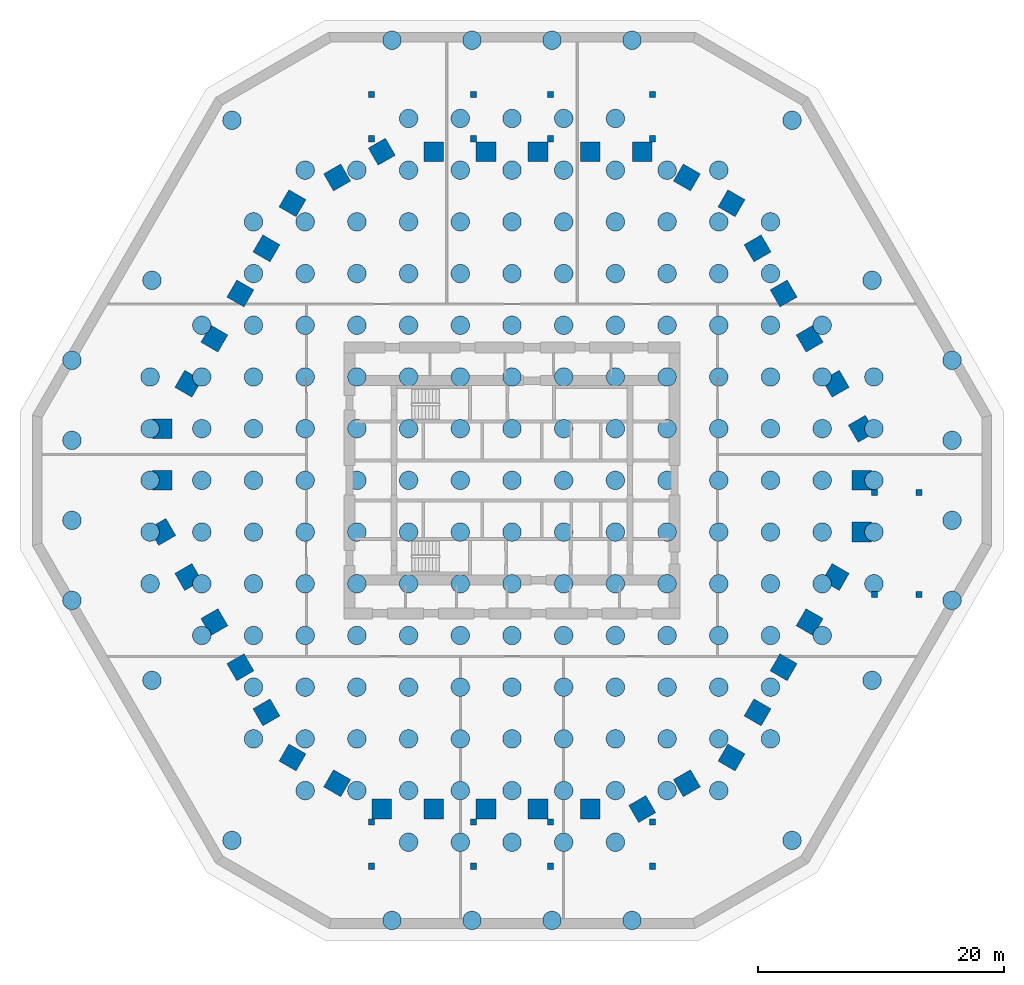
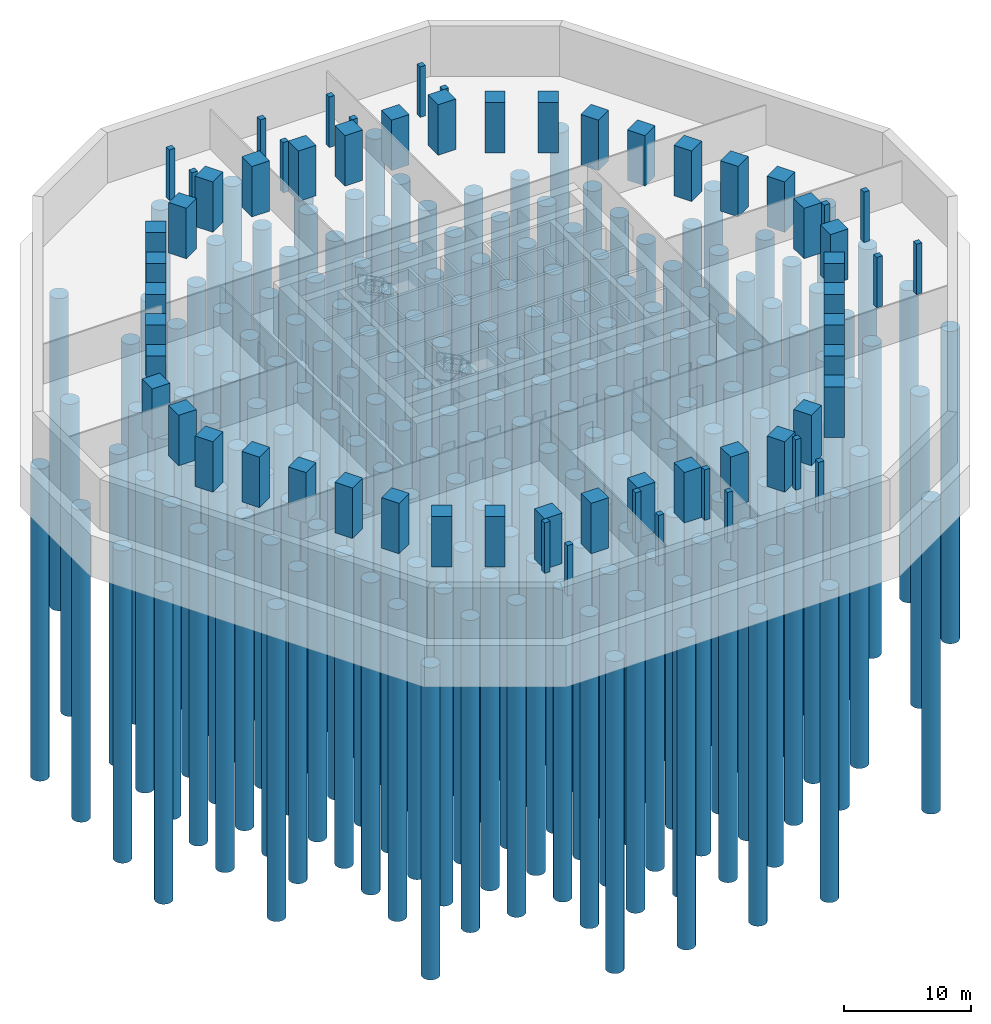
# One storey, part 1 of 6: 197 piles, 62 columns.
"""IFC4 building model written with IfcOpenShell, lengths in metres."""

import ifcopenshell
import ifcopenshell.guid

model = None  # the IFC model being written
_history = None  # IfcOwnerHistory: only IFC2X3 demands one
_inside = {}  # id of a spatial element -> (the spatial element, [elements in it])
_under = {}  # id of a project, library or spatial element -> (it, [spatial elements below it])
_declared = {}  # id of a project -> (the project, [libraries it declares])
_typed = {}  # id of a type object -> (the type object, [elements of that type])
_made_of = {}  # id of a material, layer set ... -> (it, [elements and type objects made of it])


def new_model(schema):
    """Start an empty IFC model of exactly this schema.

    Asked for "IFC4X3", IfcOpenShell would pick the latest addendum, in which some entities
    have other attributes; the version numbers below select the first issue.
    IFC2X3 requires an IfcOwnerHistory on every rooted entity: one is made here for all.
    """
    global model, _history
    if schema == "IFC4X3":
        model = ifcopenshell.file(schema_version=(4, 3, 0, 0))
    else:
        model = ifcopenshell.file(schema=schema)
    _inside.clear()
    _under.clear()
    _declared.clear()
    _typed.clear()
    _made_of.clear()
    _history = None
    if model.schema == "IFC2X3":
        org = make("IfcOrganization", Name="unknown")
        user = make(
            "IfcPersonAndOrganization",
            ThePerson=make("IfcPerson", FamilyName="unknown"),
            TheOrganization=org,
        )
        app = make(
            "IfcApplication",
            ApplicationDeveloper=org,
            Version="unknown",
            ApplicationFullName="unknown",
            ApplicationIdentifier="unknown",
        )
        _history = make(
            "IfcOwnerHistory",
            OwningUser=user,
            OwningApplication=app,
            ChangeAction="ADDED",
            CreationDate=0,
        )
    return model


def make(cls, **values):
    """One entity of the class cls with the attributes given. An attribute that is None is left unset."""
    return model.create_entity(
        cls, **{name: value for name, value in values.items() if value is not None}
    )


def rooted(cls, **values):
    """An entity with a GlobalId (a new one), such as an element, a storey or a relation."""
    return make(cls, GlobalId=ifcopenshell.guid.new(), OwnerHistory=_history, **values)


def si_unit(unit_type, name, prefix=None):
    """IfcSIUnit, for example si_unit("LENGTHUNIT", "METRE", prefix="MILLI")."""
    return make("IfcSIUnit", UnitType=unit_type, Prefix=prefix, Name=name)


def assignment(units):
    """IfcUnitAssignment: the units of a project."""
    return None if units is None else make("IfcUnitAssignment", Units=units)


def point(xyz):
    """IfcCartesianPoint."""
    return None if xyz is None else make("IfcCartesianPoint", Coordinates=xyz)


def direction(xyz):
    """IfcDirection."""
    return None if xyz is None else make("IfcDirection", DirectionRatios=xyz)


def frame(location, z_axis=None, x_axis=None):
    """IfcAxis2Placement3D, a coordinate frame: its origin and axes. An axis left out is left unset."""
    return make(
        "IfcAxis2Placement3D",
        Location=point(location),
        Axis=direction(z_axis),
        RefDirection=direction(x_axis),
    )


def frame_2d(location, x_axis=None):
    """IfcAxis2Placement2D, a coordinate frame in the plane: its origin and x axis."""
    return make(
        "IfcAxis2Placement2D", Location=point(location), RefDirection=direction(x_axis)
    )


def origin():
    """The frame at (0, 0, 0) with its axes left unset."""
    return frame((0.0, 0.0, 0.0))


def origin_2d():
    """The frame at (0, 0) in the plane with its x axis left unset."""
    return frame_2d((0.0, 0.0))


def place(relative_to, where):
    """IfcLocalPlacement: puts the frame where relative to a parent placement (None: the world)."""
    return make(
        "IfcLocalPlacement", PlacementRelTo=relative_to, RelativePlacement=where
    )


def context(
    kind, dimensions, precision=None, world=None, true_north=None, identifier=None
):
    """IfcGeometricRepresentationContext, for example the 3D "Model" context."""
    return make(
        "IfcGeometricRepresentationContext",
        ContextIdentifier=identifier,
        ContextType=kind,
        CoordinateSpaceDimension=dimensions,
        Precision=precision,
        WorldCoordinateSystem=world,
        TrueNorth=true_north,
    )


def subcontext(parent, identifier, kind, view, scale=None):
    """IfcGeometricRepresentationSubContext, for example "Body" below "Model"."""
    return make(
        "IfcGeometricRepresentationSubContext",
        ContextIdentifier=identifier,
        ContextType=kind,
        ParentContext=parent,
        TargetScale=scale,
        TargetView=view,
    )


def project(units=None, contexts=None):
    """IfcProject with its units and contexts."""
    return rooted(
        "IfcProject",
        Name="project",
        RepresentationContexts=contexts,
        UnitsInContext=assignment(units),
    )


def spatial(cls, under=None, at=None, **own):
    """A site, building, storey or space (cls), placed at a placement, below another one or the project."""
    s = rooted(cls, ObjectPlacement=at, **own)
    if under is not None:
        _under.setdefault(under.id(), (under, []))[1].append(s)
    return s


def profile(cls, at=None, kind="AREA", **sizes):
    """A parametric profile (cls). Its sizes go by their IFC names, for example OverallWidth=200.0."""
    return make(cls, ProfileType=kind, Position=at, **sizes)


def rectangle(**sizes):
    """IfcRectangleProfileDef."""
    return profile("IfcRectangleProfileDef", **sizes)


def circle(**sizes):
    """IfcCircleProfileDef."""
    return profile("IfcCircleProfileDef", **sizes)


def extrude(swept, where, along, depth):
    """IfcExtrudedAreaSolid: the profile swept, set in the frame where, extruded along a direction by depth."""
    return make(
        "IfcExtrudedAreaSolid",
        SweptArea=swept,
        Position=where,
        ExtrudedDirection=direction(along),
        Depth=depth,
    )


def shape(context_of_items, identifier, shape_type, items):
    """IfcShapeRepresentation: the items that make up one representation, for example the "Body"."""
    return make(
        "IfcShapeRepresentation",
        ContextOfItems=context_of_items,
        RepresentationIdentifier=identifier,
        RepresentationType=shape_type,
        Items=items,
    )


def material(Name=None, Category=None):
    """IfcMaterial."""
    return make("IfcMaterial", Name=Name, Category=Category)


def material_profile(
    of_material, cross_section, Name=None, Category=None, Priority=None
):
    """IfcMaterialProfile: a cross section and its material."""
    return make(
        "IfcMaterialProfile",
        Name=Name,
        Material=of_material,
        Profile=cross_section,
        Priority=Priority,
        Category=Category,
    )


def profile_set(profiles, Name=None, composite=None):
    """IfcMaterialProfileSet."""
    return make(
        "IfcMaterialProfileSet",
        Name=Name,
        MaterialProfiles=profiles,
        CompositeProfile=composite,
    )


def made_of(thing, what):
    """Note that an element or type object is made of a material, layer set ...; save() writes the relation."""
    if what is not None:
        _made_of.setdefault(what.id(), (what, []))[1].append(thing)
    return thing


def type_object(cls, material=None, **own):
    """A type object (cls), such as IfcWallType, which elements share."""
    return made_of(rooted(cls, **own), material)


def element(
    cls,
    number,
    at=None,
    inside=None,
    cuts=None,
    type_object=None,
    material=None,
    context=None,
    identifier="Body",
    shape_type=None,
    held_by="IfcProductDefinitionShape",
    body=None,
    shapes=None,
    **own,
):
    """One element of the class cls, such as IfcWall. Its Tag is "e" and its number.

    at: its placement. inside: the storey or other place that contains it. cuts: it is an
    opening in that element (IfcRelVoidsElement). A single representation is given by context,
    identifier, shape_type and body (its items); several are given by shapes. held_by: the class
    of the entity that holds the representations. save() writes the other relations.
    """
    e = rooted(cls, Tag="e%d" % number, ObjectPlacement=at, **own)
    if body is not None:
        shapes = [shape(context, identifier, shape_type, body)]
    if shapes is not None:
        e.Representation = make(held_by, Representations=shapes)
    if inside is not None:
        _inside.setdefault(inside.id(), (inside, []))[1].append(e)
    if cuts is not None:
        rooted(
            "IfcRelVoidsElement", RelatingBuildingElement=cuts, RelatedOpeningElement=e
        )
    if type_object is not None:
        _typed.setdefault(type_object.id(), (type_object, []))[1].append(e)
    return made_of(e, material)


def aggregate(whole, parts):
    """IfcRelAggregates: a whole, such as a stair, and the parts it consists of."""
    return rooted("IfcRelAggregates", RelatingObject=whole, RelatedObjects=parts)


def save(model, path):
    """Write the relations noted so far, then the file.

    IfcRelAggregates (storeys below a building ...), IfcRelContainedInSpatialStructure (elements
    in a storey), IfcRelDefinesByType, IfcRelAssociatesMaterial and IfcRelDeclares: one each for
    every whole, place, type object, material and project.
    """
    for whole, parts in _under.values():
        aggregate(whole, parts)
    for where, things in _inside.values():
        rooted(
            "IfcRelContainedInSpatialStructure",
            RelatedElements=things,
            RelatingStructure=where,
        )
    for kind, things in _typed.values():
        rooted("IfcRelDefinesByType", RelatedObjects=things, RelatingType=kind)
    for what, things in _made_of.values():
        rooted("IfcRelAssociatesMaterial", RelatedObjects=things, RelatingMaterial=what)
    for by, libraries in _declared.values():
        rooted("IfcRelDeclares", RelatingContext=by, RelatedDefinitions=libraries)
    model.write(path)


model = new_model("IFC4")

# Units and contexts
model_context = context("Model", 3, precision=1e-05, world=origin(), true_north=direction((0.0, 1.0)))
body_context = subcontext(model_context, "Body", "Model", "MODEL_VIEW")
ifc_project = project(units=[si_unit("LENGTHUNIT", "METRE"), si_unit("AREAUNIT", "SQUARE_METRE"), si_unit("VOLUMEUNIT", "CUBIC_METRE"), si_unit("PLANEANGLEUNIT", "RADIAN"), si_unit("MASSUNIT", "GRAM", prefix="KILO")], contexts=[model_context])

# Site, building, storey
site_placement = place(None, origin())
site = spatial("IfcSite", under=ifc_project, at=site_placement, CompositionType="ELEMENT")
building_placement = place(site_placement, origin())
building = spatial("IfcBuilding", under=site, at=building_placement, Name="Frailejon Research Tower", CompositionType="ELEMENT")
storey_placement = place(building_placement, frame((0.0, 0.0, -5.199951171875)))
storey = spatial("IfcBuildingStorey", under=building, at=storey_placement, Name="B1", CompositionType="ELEMENT", Elevation=-5.199951171875)

# Piles
ifc_material_1 = material(Name="Concrete C40/50", Category="concrete")
ifc_material_profile_1 = material_profile(ifc_material_1, circle(Radius=0.75, at=origin_2d()), Name="Bored pile 1500")
ifc_profile_set_1 = profile_set([ifc_material_profile_1], Name="Concrete C40/50")
pile_type = type_object("IfcPileType", Name="Bored pile 1500", PredefinedType="BORED", material=ifc_profile_set_1)
for number, where, z_axis, x_axis, name in (
    (1, (-9.75, -35.75, -3.900146484375), (0.0, 0.0, -1.0), (1.0, 0.0, 0.0), "Bored pile"),
    (2, (-3.25, -35.75, -3.900146484375), (0.0, 0.0, -1.0), (1.0, 0.0, 0.0), "Bored pile"),
    (3, (3.25, -35.75, -3.900146484375), (0.0, 0.0, -1.0), (1.0, 0.0, 0.0), "Bored pile"),
    (4, (9.75, -35.75, -3.900146484375), (0.0, 0.0, -1.0), (1.0, 0.0, 0.0), "Bored pile"),
    (5, (-8.39990234375, -29.39990234375, -3.900146484375), (0.0, 0.0, -1.0), (1.0, 0.0, 0.0), "Bored pile"),
    (6, (-4.199951171875, -29.39990234375, -3.900146484375), (0.0, 0.0, -1.0), (1.0, 0.0, 0.0), "Bored pile"),
    (7, (0.0, -29.39990234375, -3.900146484375), (0.0, 0.0, -1.0), (1.0, 0.0, 0.0), "Bored pile"),
    (8, (4.199951171875, -29.39990234375, -3.900146484375), (0.0, 0.0, -1.0), (1.0, 0.0, 0.0), "Bored pile"),
    (9, (8.39990234375, -29.39990234375, -3.900146484375), (0.0, 0.0, -1.0), (1.0, 0.0, 0.0), "Bored pile"),
    (10, (-22.75, -29.25, -3.900146484375), (0.0, 0.0, -1.0), (1.0, 0.0, 0.0), "Bored pile"),
    (11, (22.75, -29.25, -3.900146484375), (0.0, 0.0, -1.0), (1.0, 0.0, 0.0), "Bored pile"),
    (12, (-16.800048828125, -25.199951171875, -3.900146484375), (0.0, 0.0, -1.0), (1.0, 0.0, 0.0), "Bored pile"),
    (13, (-12.60009765625, -25.199951171875, -3.900146484375), (0.0, 0.0, -1.0), (1.0, 0.0, 0.0), "Bored pile"),
    (14, (-8.39990234375, -25.199951171875, -3.900146484375), (0.0, 0.0, -1.0), (1.0, 0.0, 0.0), "Bored pile"),
    (15, (-4.199951171875, -25.199951171875, -3.900146484375), (0.0, 0.0, -1.0), (1.0, 0.0, 0.0), "Bored pile"),
    (16, (0.0, -25.199951171875, -3.900146484375), (0.0, 0.0, -1.0), (1.0, 0.0, 0.0), "Bored pile"),
    (17, (4.199951171875, -25.199951171875, -3.900146484375), (0.0, 0.0, -1.0), (1.0, 0.0, 0.0), "Bored pile"),
    (18, (8.39990234375, -25.199951171875, -3.900146484375), (0.0, 0.0, -1.0), (1.0, 0.0, 0.0), "Bored pile"),
    (19, (12.60009765625, -25.199951171875, -3.900146484375), (0.0, 0.0, -1.0), (1.0, 0.0, 0.0), "Bored pile"),
    (20, (16.800048828125, -25.199951171875, -3.900146484375), (0.0, 0.0, -1.0), (1.0, 0.0, 0.0), "Bored pile"),
    (21, (-21.0, -21.0, -3.900146484375), (0.0, 0.0, -1.0), (1.0, 0.0, 0.0), "Bored pile"),
    (22, (-16.800048828125, -21.0, -3.900146484375), (0.0, 0.0, -1.0), (1.0, 0.0, 0.0), "Bored pile"),
    (23, (-12.60009765625, -21.0, -3.900146484375), (0.0, 0.0, -1.0), (1.0, 0.0, 0.0), "Bored pile"),
    (24, (-8.39990234375, -21.0, -3.900146484375), (0.0, 0.0, -1.0), (1.0, 0.0, 0.0), "Bored pile"),
    (25, (-4.199951171875, -21.0, -3.900146484375), (0.0, 0.0, -1.0), (1.0, 0.0, 0.0), "Bored pile"),
    (26, (0.0, -21.0, -3.900146484375), (0.0, 0.0, -1.0), (1.0, 0.0, 0.0), "Bored pile"),
    (27, (4.199951171875, -21.0, -3.900146484375), (0.0, 0.0, -1.0), (1.0, 0.0, 0.0), "Bored pile"),
    (28, (8.39990234375, -21.0, -3.900146484375), (0.0, 0.0, -1.0), (1.0, 0.0, 0.0), "Bored pile"),
    (29, (12.60009765625, -21.0, -3.900146484375), (0.0, 0.0, -1.0), (1.0, 0.0, 0.0), "Bored pile"),
    (30, (16.800048828125, -21.0, -3.900146484375), (0.0, 0.0, -1.0), (1.0, 0.0, 0.0), "Bored pile"),
    (31, (21.0, -21.0, -3.900146484375), (0.0, 0.0, -1.0), (1.0, 0.0, 0.0), "Bored pile"),
    (32, (-21.0, -16.800048828125, -3.900146484375), (0.0, 0.0, -1.0), (1.0, 0.0, 0.0), "Bored pile"),
    (33, (-16.800048828125, -16.800048828125, -3.900146484375), (0.0, 0.0, -1.0), (1.0, 0.0, 0.0), "Bored pile"),
    (34, (-12.60009765625, -16.800048828125, -3.900146484375), (0.0, 0.0, -1.0), (1.0, 0.0, 0.0), "Bored pile"),
    (35, (-8.39990234375, -16.800048828125, -3.900146484375), (0.0, 0.0, -1.0), (1.0, 0.0, 0.0), "Bored pile"),
    (36, (-4.199951171875, -16.800048828125, -3.900146484375), (0.0, 0.0, -1.0), (1.0, 0.0, 0.0), "Bored pile"),
    (37, (0.0, -16.800048828125, -3.900146484375), (0.0, 0.0, -1.0), (1.0, 0.0, 0.0), "Bored pile"),
    (38, (4.199951171875, -16.800048828125, -3.900146484375), (0.0, 0.0, -1.0), (1.0, 0.0, 0.0), "Bored pile"),
    (39, (8.39990234375, -16.800048828125, -3.900146484375), (0.0, 0.0, -1.0), (1.0, 0.0, 0.0), "Bored pile"),
    (40, (12.60009765625, -16.800048828125, -3.900146484375), (0.0, 0.0, -1.0), (1.0, 0.0, 0.0), "Bored pile"),
    (41, (16.800048828125, -16.800048828125, -3.900146484375), (0.0, 0.0, -1.0), (1.0, 0.0, 0.0), "Bored pile"),
    (42, (21.0, -16.800048828125, -3.900146484375), (0.0, 0.0, -1.0), (1.0, 0.0, 0.0), "Bored pile"),
    (43, (-29.25, -16.25, -3.900146484375), (0.0, 0.0, -1.0), (1.0, 0.0, 0.0), "Bored pile"),
    (44, (29.25, -16.25, -3.900146484375), (0.0, 0.0, -1.0), (1.0, 0.0, 0.0), "Bored pile"),
    (45, (-25.199951171875, -12.60009765625, -3.900146484375), (0.0, 0.0, -1.0), (1.0, 0.0, 0.0), "Bored pile"),
    (46, (-21.0, -12.60009765625, -3.900146484375), (0.0, 0.0, -1.0), (1.0, 0.0, 0.0), "Bored pile"),
    (47, (-16.800048828125, -12.60009765625, -3.900146484375), (0.0, 0.0, -1.0), (1.0, 0.0, 0.0), "Bored pile"),
    (48, (-12.60009765625, -12.60009765625, -3.900146484375), (0.0, 0.0, -1.0), (1.0, 0.0, 0.0), "Bored pile"),
    (49, (-8.39990234375, -12.60009765625, -3.900146484375), (0.0, 0.0, -1.0), (1.0, 0.0, 0.0), "Bored pile"),
    (50, (-4.199951171875, -12.60009765625, -3.900146484375), (0.0, 0.0, -1.0), (1.0, 0.0, 0.0), "Bored pile"),
    (51, (0.0, -12.60009765625, -3.900146484375), (0.0, 0.0, -1.0), (1.0, 0.0, 0.0), "Bored pile"),
    (52, (4.199951171875, -12.60009765625, -3.900146484375), (0.0, 0.0, -1.0), (1.0, 0.0, 0.0), "Bored pile"),
    (53, (8.39990234375, -12.60009765625, -3.900146484375), (0.0, 0.0, -1.0), (1.0, 0.0, 0.0), "Bored pile"),
    (54, (12.60009765625, -12.60009765625, -3.900146484375), (0.0, 0.0, -1.0), (1.0, 0.0, 0.0), "Bored pile"),
    (55, (16.800048828125, -12.60009765625, -3.900146484375), (0.0, 0.0, -1.0), (1.0, 0.0, 0.0), "Bored pile"),
    (56, (21.0, -12.60009765625, -3.900146484375), (0.0, 0.0, -1.0), (1.0, 0.0, 0.0), "Bored pile"),
    (57, (25.199951171875, -12.60009765625, -3.900146484375), (0.0, 0.0, -1.0), (1.0, 0.0, 0.0), "Bored pile"),
    (58, (-35.75, -9.75, -3.900146484375), (0.0, 0.0, -1.0), (1.0, 0.0, 0.0), "Bored pile"),
    (59, (35.75, -9.75, -3.900146484375), (0.0, 0.0, -1.0), (1.0, 0.0, 0.0), "Bored pile"),
    (60, (-29.39990234375, -8.39990234375, -3.900146484375), (0.0, 0.0, -1.0), (1.0, 0.0, 0.0), "Bored pile"),
    (61, (-25.199951171875, -8.39990234375, -3.900146484375), (0.0, 0.0, -1.0), (1.0, 0.0, 0.0), "Bored pile"),
    (62, (-21.0, -8.39990234375, -3.900146484375), (0.0, 0.0, -1.0), (1.0, 0.0, 0.0), "Bored pile"),
    (63, (-16.800048828125, -8.39990234375, -3.900146484375), (0.0, 0.0, -1.0), (1.0, 0.0, 0.0), "Bored pile"),
    (64, (-12.60009765625, -8.39990234375, -3.900146484375), (0.0, 0.0, -1.0), (1.0, 0.0, 0.0), "Bored pile"),
    (65, (-8.39990234375, -8.39990234375, -3.900146484375), (0.0, 0.0, -1.0), (1.0, 0.0, 0.0), "Bored pile"),
    (66, (-4.199951171875, -8.39990234375, -3.900146484375), (0.0, 0.0, -1.0), (1.0, 0.0, 0.0), "Bored pile"),
    (67, (0.0, -8.39990234375, -3.900146484375), (0.0, 0.0, -1.0), (1.0, 0.0, 0.0), "Bored pile"),
    (68, (4.199951171875, -8.39990234375, -3.900146484375), (0.0, 0.0, -1.0), (1.0, 0.0, 0.0), "Bored pile"),
    (69, (8.39990234375, -8.39990234375, -3.900146484375), (0.0, 0.0, -1.0), (1.0, 0.0, 0.0), "Bored pile"),
    (70, (12.60009765625, -8.39990234375, -3.900146484375), (0.0, 0.0, -1.0), (1.0, 0.0, 0.0), "Bored pile"),
    (71, (16.800048828125, -8.39990234375, -3.900146484375), (0.0, 0.0, -1.0), (1.0, 0.0, 0.0), "Bored pile"),
    (72, (21.0, -8.39990234375, -3.900146484375), (0.0, 0.0, -1.0), (1.0, 0.0, 0.0), "Bored pile"),
    (73, (25.199951171875, -8.39990234375, -3.900146484375), (0.0, 0.0, -1.0), (1.0, 0.0, 0.0), "Bored pile"),
    (74, (29.39990234375, -8.39990234375, -3.900146484375), (0.0, 0.0, -1.0), (1.0, 0.0, 0.0), "Bored pile"),
    (75, (-29.39990234375, -4.199951171875, -3.900146484375), (0.0, 0.0, -1.0), (1.0, 0.0, 0.0), "Bored pile"),
    (76, (-25.199951171875, -4.199951171875, -3.900146484375), (0.0, 0.0, -1.0), (1.0, 0.0, 0.0), "Bored pile"),
    (77, (-21.0, -4.199951171875, -3.900146484375), (0.0, 0.0, -1.0), (1.0, 0.0, 0.0), "Bored pile"),
    (78, (-16.800048828125, -4.199951171875, -3.900146484375), (0.0, 0.0, -1.0), (1.0, 0.0, 0.0), "Bored pile"),
    (79, (-12.60009765625, -4.199951171875, -3.900146484375), (0.0, 0.0, -1.0), (1.0, 0.0, 0.0), "Bored pile"),
    (80, (-8.39990234375, -4.199951171875, -3.900146484375), (0.0, 0.0, -1.0), (1.0, 0.0, 0.0), "Bored pile"),
    (81, (-4.199951171875, -4.199951171875, -3.900146484375), (0.0, 0.0, -1.0), (1.0, 0.0, 0.0), "Bored pile"),
    (82, (0.0, -4.199951171875, -3.900146484375), (0.0, 0.0, -1.0), (1.0, 0.0, 0.0), "Bored pile"),
    (83, (4.199951171875, -4.199951171875, -3.900146484375), (0.0, 0.0, -1.0), (1.0, 0.0, 0.0), "Bored pile"),
    (84, (8.39990234375, -4.199951171875, -3.900146484375), (0.0, 0.0, -1.0), (1.0, 0.0, 0.0), "Bored pile"),
    (85, (12.60009765625, -4.199951171875, -3.900146484375), (0.0, 0.0, -1.0), (1.0, 0.0, 0.0), "Bored pile"),
    (86, (16.800048828125, -4.199951171875, -3.900146484375), (0.0, 0.0, -1.0), (1.0, 0.0, 0.0), "Bored pile"),
    (87, (21.0, -4.199951171875, -3.900146484375), (0.0, 0.0, -1.0), (1.0, 0.0, 0.0), "Bored pile"),
    (88, (25.199951171875, -4.199951171875, -3.900146484375), (0.0, 0.0, -1.0), (1.0, 0.0, 0.0), "Bored pile"),
    (89, (29.39990234375, -4.199951171875, -3.900146484375), (0.0, 0.0, -1.0), (1.0, 0.0, 0.0), "Bored pile"),
    (90, (-35.75, -3.25, -3.900146484375), (0.0, 0.0, -1.0), (1.0, 0.0, 0.0), "Bored pile"),
    (91, (35.75, -3.25, -3.900146484375), (0.0, 0.0, -1.0), (1.0, 0.0, 0.0), "Bored pile"),
    (92, (-29.39990234375, 0.0, -3.900146484375), (0.0, 0.0, -1.0), (1.0, 0.0, 0.0), "Bored pile"),
    (93, (-25.199951171875, 0.0, -3.900146484375), (0.0, 0.0, -1.0), (1.0, 0.0, 0.0), "Bored pile"),
    (94, (-21.0, 0.0, -3.900146484375), (0.0, 0.0, -1.0), (1.0, 0.0, 0.0), "Bored pile"),
    (95, (-16.800048828125, 0.0, -3.900146484375), (0.0, 0.0, -1.0), (1.0, 0.0, 0.0), "Bored pile"),
    (96, (-12.60009765625, 0.0, -3.900146484375), (0.0, 0.0, -1.0), (1.0, 0.0, 0.0), "Bored pile"),
    (97, (-8.39990234375, 0.0, -3.900146484375), (0.0, 0.0, -1.0), (1.0, 0.0, 0.0), "Bored pile"),
    (98, (-4.199951171875, 0.0, -3.900146484375), (0.0, 0.0, -1.0), (1.0, 0.0, 0.0), "Bored pile"),
    (99, (0.0, 0.0, -3.900146484375), (0.0, 0.0, -1.0), (1.0, 0.0, 0.0), "Bored pile"),
    (100, (4.199951171875, 0.0, -3.900146484375), (0.0, 0.0, -1.0), (1.0, 0.0, 0.0), "Bored pile"),
    (101, (8.39990234375, 0.0, -3.900146484375), (0.0, 0.0, -1.0), (1.0, 0.0, 0.0), "Bored pile"),
    (102, (12.60009765625, 0.0, -3.900146484375), (0.0, 0.0, -1.0), (1.0, 0.0, 0.0), "Bored pile"),
    (103, (16.800048828125, 0.0, -3.900146484375), (0.0, 0.0, -1.0), (1.0, 0.0, 0.0), "Bored pile"),
    (104, (21.0, 0.0, -3.900146484375), (0.0, 0.0, -1.0), (1.0, 0.0, 0.0), "Bored pile"),
    (105, (25.199951171875, 0.0, -3.900146484375), (0.0, 0.0, -1.0), (1.0, 0.0, 0.0), "Bored pile"),
    (106, (29.39990234375, 0.0, -3.900146484375), (0.0, 0.0, -1.0), (1.0, 0.0, 0.0), "Bored pile"),
    (107, (-35.75, 3.25, -3.900146484375), (0.0, 0.0, -1.0), (1.0, 0.0, 0.0), "Bored pile"),
    (108, (35.75, 3.25, -3.900146484375), (0.0, 0.0, -1.0), (1.0, 0.0, 0.0), "Bored pile"),
    (109, (-29.39990234375, 4.199951171875, -3.900146484375), (0.0, 0.0, -1.0), (1.0, 0.0, 0.0), "Bored pile"),
    (110, (-25.199951171875, 4.199951171875, -3.900146484375), (0.0, 0.0, -1.0), (1.0, 0.0, 0.0), "Bored pile"),
    (111, (-21.0, 4.199951171875, -3.900146484375), (0.0, 0.0, -1.0), (1.0, 0.0, 0.0), "Bored pile"),
    (112, (-16.800048828125, 4.199951171875, -3.900146484375), (0.0, 0.0, -1.0), (1.0, 0.0, 0.0), "Bored pile"),
    (113, (-12.60009765625, 4.199951171875, -3.900146484375), (0.0, 0.0, -1.0), (1.0, 0.0, 0.0), "Bored pile"),
    (114, (-8.39990234375, 4.199951171875, -3.900146484375), (0.0, 0.0, -1.0), (1.0, 0.0, 0.0), "Bored pile"),
    (115, (-4.199951171875, 4.199951171875, -3.900146484375), (0.0, 0.0, -1.0), (1.0, 0.0, 0.0), "Bored pile"),
    (116, (0.0, 4.199951171875, -3.900146484375), (0.0, 0.0, -1.0), (1.0, 0.0, 0.0), "Bored pile"),
    (117, (4.199951171875, 4.199951171875, -3.900146484375), (0.0, 0.0, -1.0), (1.0, 0.0, 0.0), "Bored pile"),
    (118, (8.39990234375, 4.199951171875, -3.900146484375), (0.0, 0.0, -1.0), (1.0, 0.0, 0.0), "Bored pile"),
    (119, (12.60009765625, 4.199951171875, -3.900146484375), (0.0, 0.0, -1.0), (1.0, 0.0, 0.0), "Bored pile"),
    (120, (16.800048828125, 4.199951171875, -3.900146484375), (0.0, 0.0, -1.0), (1.0, 0.0, 0.0), "Bored pile"),
    (121, (21.0, 4.199951171875, -3.900146484375), (0.0, 0.0, -1.0), (1.0, 0.0, 0.0), "Bored pile"),
    (122, (25.199951171875, 4.199951171875, -3.900146484375), (0.0, 0.0, -1.0), (1.0, 0.0, 0.0), "Bored pile"),
    (123, (29.39990234375, 4.199951171875, -3.900146484375), (0.0, 0.0, -1.0), (1.0, 0.0, 0.0), "Bored pile"),
    (124, (-29.39990234375, 8.39990234375, -3.900146484375), (0.0, 0.0, -1.0), (1.0, 0.0, 0.0), "Bored pile"),
    (125, (-25.199951171875, 8.39990234375, -3.900146484375), (0.0, 0.0, -1.0), (1.0, 0.0, 0.0), "Bored pile"),
    (126, (-21.0, 8.39990234375, -3.900146484375), (0.0, 0.0, -1.0), (1.0, 0.0, 0.0), "Bored pile"),
    (127, (-16.800048828125, 8.39990234375, -3.900146484375), (0.0, 0.0, -1.0), (1.0, 0.0, 0.0), "Bored pile"),
    (128, (-12.60009765625, 8.39990234375, -3.900146484375), (0.0, 0.0, -1.0), (1.0, 0.0, 0.0), "Bored pile"),
    (129, (-8.39990234375, 8.39990234375, -3.900146484375), (0.0, 0.0, -1.0), (1.0, 0.0, 0.0), "Bored pile"),
    (130, (-4.199951171875, 8.39990234375, -3.900146484375), (0.0, 0.0, -1.0), (1.0, 0.0, 0.0), "Bored pile"),
    (131, (0.0, 8.39990234375, -3.900146484375), (0.0, 0.0, -1.0), (1.0, 0.0, 0.0), "Bored pile"),
    (132, (4.199951171875, 8.39990234375, -3.900146484375), (0.0, 0.0, -1.0), (1.0, 0.0, 0.0), "Bored pile"),
    (133, (8.39990234375, 8.39990234375, -3.900146484375), (0.0, 0.0, -1.0), (1.0, 0.0, 0.0), "Bored pile"),
    (134, (12.60009765625, 8.39990234375, -3.900146484375), (0.0, 0.0, -1.0), (1.0, 0.0, 0.0), "Bored pile"),
    (135, (16.800048828125, 8.39990234375, -3.900146484375), (0.0, 0.0, -1.0), (1.0, 0.0, 0.0), "Bored pile"),
    (136, (21.0, 8.39990234375, -3.900146484375), (0.0, 0.0, -1.0), (1.0, 0.0, 0.0), "Bored pile"),
    (137, (25.199951171875, 8.39990234375, -3.900146484375), (0.0, 0.0, -1.0), (1.0, 0.0, 0.0), "Bored pile"),
    (138, (29.39990234375, 8.39990234375, -3.900146484375), (0.0, 0.0, -1.0), (1.0, 0.0, 0.0), "Bored pile"),
    (139, (-35.75, 9.75, -3.900146484375), (0.0, 0.0, -1.0), (1.0, 0.0, 0.0), "Bored pile"),
    (140, (35.75, 9.75, -3.900146484375), (0.0, 0.0, -1.0), (1.0, 0.0, 0.0), "Bored pile"),
    (141, (-25.199951171875, 12.60009765625, -3.900146484375), (0.0, 0.0, -1.0), (1.0, 0.0, 0.0), "Bored pile"),
    (142, (-21.0, 12.60009765625, -3.900146484375), (0.0, 0.0, -1.0), (1.0, 0.0, 0.0), "Bored pile"),
    (143, (-16.800048828125, 12.60009765625, -3.900146484375), (0.0, 0.0, -1.0), (1.0, 0.0, 0.0), "Bored pile"),
    (144, (-12.60009765625, 12.60009765625, -3.900146484375), (0.0, 0.0, -1.0), (1.0, 0.0, 0.0), "Bored pile"),
    (145, (-8.39990234375, 12.60009765625, -3.900146484375), (0.0, 0.0, -1.0), (1.0, 0.0, 0.0), "Bored pile"),
    (146, (-4.199951171875, 12.60009765625, -3.900146484375), (0.0, 0.0, -1.0), (1.0, 0.0, 0.0), "Bored pile"),
    (147, (0.0, 12.60009765625, -3.900146484375), (0.0, 0.0, -1.0), (1.0, 0.0, 0.0), "Bored pile"),
    (148, (4.199951171875, 12.60009765625, -3.900146484375), (0.0, 0.0, -1.0), (1.0, 0.0, 0.0), "Bored pile"),
    (149, (8.39990234375, 12.60009765625, -3.900146484375), (0.0, 0.0, -1.0), (1.0, 0.0, 0.0), "Bored pile"),
    (150, (12.60009765625, 12.60009765625, -3.900146484375), (0.0, 0.0, -1.0), (1.0, 0.0, 0.0), "Bored pile"),
    (151, (16.800048828125, 12.60009765625, -3.900146484375), (0.0, 0.0, -1.0), (1.0, 0.0, 0.0), "Bored pile"),
    (152, (21.0, 12.60009765625, -3.900146484375), (0.0, 0.0, -1.0), (1.0, 0.0, 0.0), "Bored pile"),
    (153, (25.199951171875, 12.60009765625, -3.900146484375), (0.0, 0.0, -1.0), (1.0, 0.0, 0.0), "Bored pile"),
    (154, (-29.25, 16.25, -3.900146484375), (0.0, 0.0, -1.0), (1.0, 0.0, 0.0), "Bored pile"),
    (155, (29.25, 16.25, -3.900146484375), (0.0, 0.0, -1.0), (1.0, 0.0, 0.0), "Bored pile"),
    (156, (-21.0, 16.800048828125, -3.900146484375), (0.0, 0.0, -1.0), (1.0, 0.0, 0.0), "Bored pile"),
    (157, (-16.800048828125, 16.800048828125, -3.900146484375), (0.0, 0.0, -1.0), (1.0, 0.0, 0.0), "Bored pile"),
    (158, (-12.60009765625, 16.800048828125, -3.900146484375), (0.0, 0.0, -1.0), (1.0, 0.0, 0.0), "Bored pile"),
    (159, (-8.39990234375, 16.800048828125, -3.900146484375), (0.0, 0.0, -1.0), (1.0, 0.0, 0.0), "Bored pile"),
    (160, (-4.199951171875, 16.800048828125, -3.900146484375), (0.0, 0.0, -1.0), (1.0, 0.0, 0.0), "Bored pile"),
    (161, (0.0, 16.800048828125, -3.900146484375), (0.0, 0.0, -1.0), (1.0, 0.0, 0.0), "Bored pile"),
    (162, (4.199951171875, 16.800048828125, -3.900146484375), (0.0, 0.0, -1.0), (1.0, 0.0, 0.0), "Bored pile"),
    (163, (8.39990234375, 16.800048828125, -3.900146484375), (0.0, 0.0, -1.0), (1.0, 0.0, 0.0), "Bored pile"),
    (164, (12.60009765625, 16.800048828125, -3.900146484375), (0.0, 0.0, -1.0), (1.0, 0.0, 0.0), "Bored pile"),
    (165, (16.800048828125, 16.800048828125, -3.900146484375), (0.0, 0.0, -1.0), (1.0, 0.0, 0.0), "Bored pile"),
    (166, (21.0, 16.800048828125, -3.900146484375), (0.0, 0.0, -1.0), (1.0, 0.0, 0.0), "Bored pile"),
    (167, (-21.0, 21.0, -3.900146484375), (0.0, 0.0, -1.0), (1.0, 0.0, 0.0), "Bored pile"),
    (168, (-16.800048828125, 21.0, -3.900146484375), (0.0, 0.0, -1.0), (1.0, 0.0, 0.0), "Bored pile"),
    (169, (-12.60009765625, 21.0, -3.900146484375), (0.0, 0.0, -1.0), (1.0, 0.0, 0.0), "Bored pile"),
    (170, (-8.39990234375, 21.0, -3.900146484375), (0.0, 0.0, -1.0), (1.0, 0.0, 0.0), "Bored pile"),
    (171, (-4.199951171875, 21.0, -3.900146484375), (0.0, 0.0, -1.0), (1.0, 0.0, 0.0), "Bored pile"),
    (172, (0.0, 21.0, -3.900146484375), (0.0, 0.0, -1.0), (1.0, 0.0, 0.0), "Bored pile"),
    (173, (4.199951171875, 21.0, -3.900146484375), (0.0, 0.0, -1.0), (1.0, 0.0, 0.0), "Bored pile"),
    (174, (8.39990234375, 21.0, -3.900146484375), (0.0, 0.0, -1.0), (1.0, 0.0, 0.0), "Bored pile"),
    (175, (12.60009765625, 21.0, -3.900146484375), (0.0, 0.0, -1.0), (1.0, 0.0, 0.0), "Bored pile"),
    (176, (16.800048828125, 21.0, -3.900146484375), (0.0, 0.0, -1.0), (1.0, 0.0, 0.0), "Bored pile"),
    (177, (21.0, 21.0, -3.900146484375), (0.0, 0.0, -1.0), (1.0, 0.0, 0.0), "Bored pile"),
    (178, (-16.800048828125, 25.199951171875, -3.900146484375), (0.0, 0.0, -1.0), (1.0, 0.0, 0.0), "Bored pile"),
    (179, (-12.60009765625, 25.199951171875, -3.900146484375), (0.0, 0.0, -1.0), (1.0, 0.0, 0.0), "Bored pile"),
    (180, (-8.39990234375, 25.199951171875, -3.900146484375), (0.0, 0.0, -1.0), (1.0, 0.0, 0.0), "Bored pile"),
    (181, (-4.199951171875, 25.199951171875, -3.900146484375), (0.0, 0.0, -1.0), (1.0, 0.0, 0.0), "Bored pile"),
    (182, (0.0, 25.199951171875, -3.900146484375), (0.0, 0.0, -1.0), (1.0, 0.0, 0.0), "Bored pile"),
    (183, (4.199951171875, 25.199951171875, -3.900146484375), (0.0, 0.0, -1.0), (1.0, 0.0, 0.0), "Bored pile"),
    (184, (8.39990234375, 25.199951171875, -3.900146484375), (0.0, 0.0, -1.0), (1.0, 0.0, 0.0), "Bored pile"),
    (185, (12.60009765625, 25.199951171875, -3.900146484375), (0.0, 0.0, -1.0), (1.0, 0.0, 0.0), "Bored pile"),
    (186, (16.800048828125, 25.199951171875, -3.900146484375), (0.0, 0.0, -1.0), (1.0, 0.0, 0.0), "Bored pile"),
    (187, (-22.75, 29.25, -3.900146484375), (0.0, 0.0, -1.0), (1.0, 0.0, 0.0), "Bored pile"),
    (188, (22.75, 29.25, -3.900146484375), (0.0, 0.0, -1.0), (1.0, 0.0, 0.0), "Bored pile"),
    (189, (-8.39990234375, 29.39990234375, -3.900146484375), (0.0, 0.0, -1.0), (1.0, 0.0, 0.0), "Bored pile"),
    (190, (-4.199951171875, 29.39990234375, -3.900146484375), (0.0, 0.0, -1.0), (1.0, 0.0, 0.0), "Bored pile"),
    (191, (0.0, 29.39990234375, -3.900146484375), (0.0, 0.0, -1.0), (1.0, 0.0, 0.0), "Bored pile"),
    (192, (4.199951171875, 29.39990234375, -3.900146484375), (0.0, 0.0, -1.0), (1.0, 0.0, 0.0), "Bored pile"),
    (193, (8.39990234375, 29.39990234375, -3.900146484375), (0.0, 0.0, -1.0), (1.0, 0.0, 0.0), "Bored pile"),
    (194, (-9.75, 35.75, -3.900146484375), (0.0, 0.0, -1.0), (1.0, 0.0, 0.0), "Bored pile"),
    (195, (-3.25, 35.75, -3.900146484375), (0.0, 0.0, -1.0), (1.0, 0.0, 0.0), "Bored pile"),
    (196, (3.25, 35.75, -3.900146484375), (0.0, 0.0, -1.0), (1.0, 0.0, 0.0), "Bored pile"),
    (197, (9.75, 35.75, -3.900146484375), (0.0, 0.0, -1.0), (1.0, 0.0, 0.0), "Bored pile"),
):
    element("IfcPile", number, at=place(storey_placement, frame(where, z_axis=z_axis, x_axis=x_axis)), inside=storey, type_object=pile_type, Name=name, PredefinedType="BORED", context=body_context, shape_type="SweptSolid", body=[
        extrude(circle(Radius=0.75, at=origin_2d()), origin(), (0.0, 0.0, 1.0), 30.0),
    ])

# Columns
ifc_material_2 = material(Name="Concrete C70/85", Category="concrete")
ifc_material_profile_2 = material_profile(ifc_material_2, rectangle(XDim=1.60009765625, YDim=1.60009765625, at=origin_2d()), Name="Column 1600")
ifc_profile_set_2 = profile_set([ifc_material_profile_2], Name="Concrete C70/85")
column_type_1 = type_object("IfcColumnType", Name="Column 1600", PredefinedType="COLUMN", material=ifc_profile_set_2)
for number, where, z_axis, x_axis, name in (
    (198, (28.412841796875, -4.1875, 0.0), (0.0, 0.0, 1.0), (0.0, 1.0, 0.0), "Column C01"),
    (199, (28.412841796875, 0.0, 0.0), (0.0, 0.0, 1.0), (0.0, 1.0, 0.0), "Column C02"),
    (200, (28.412841796875, 4.1875, 0.0), (0.0, 0.0, 1.0), (-0.5, 0.866025403784, 0.0), "Column C03"),
    (201, (26.296875, 7.8525390625, 0.0), (0.0, 0.0, 1.0), (-0.5, 0.866025403784, 0.0), "Column C04"),
    (202, (24.180908203125, 11.517578125, 0.0), (0.0, 0.0, 1.0), (-0.5, 0.866025403784, 0.0), "Column C05"),
    (203, (22.06494140625, 15.1826171875, 0.0), (0.0, 0.0, 1.0), (-0.5, 0.866025403784, 0.0), "Column C06"),
    (204, (19.948974609375, 18.847412109375, 0.0), (0.0, 0.0, 1.0), (-0.5, 0.866025403784, 0.0), "Column C07"),
    (205, (17.8330078125, 22.512451171875, 0.0), (0.0, 0.0, 1.0), (-0.866025403784, 0.5, 0.0), "Column C08"),
    (206, (14.206298828125, 24.606201171875, 0.0), (0.0, 0.0, 1.0), (-0.866025403784, 0.5, 0.0), "Column C09"),
    (207, (10.579833984375, 26.699951171875, 0.0), (0.0, 0.0, 1.0), (-1.0, 0.0, 0.0), "Column C10"),
    (208, (6.347900390625, 26.699951171875, 0.0), (0.0, 0.0, 1.0), (-1.0, 0.0, 0.0), "Column C11"),
    (209, (2.115966796875, 26.699951171875, 0.0), (0.0, 0.0, 1.0), (-1.0, 0.0, 0.0), "Column C12"),
    (210, (-2.115966796875, 26.699951171875, 0.0), (0.0, 0.0, 1.0), (-1.0, 0.0, 0.0), "Column C13"),
    (211, (-6.347900390625, 26.699951171875, 0.0), (0.0, 0.0, 1.0), (-1.0, 0.0, 0.0), "Column C14"),
    (212, (-10.579833984375, 26.699951171875, 0.0), (0.0, 0.0, 1.0), (-0.866025403784, -0.5, 0.0), "Column C15"),
    (213, (-14.206298828125, 24.606201171875, 0.0), (0.0, 0.0, 1.0), (-0.866025403784, -0.5, 0.0), "Column C16"),
    (214, (-17.8330078125, 22.512451171875, 0.0), (0.0, 0.0, 1.0), (-0.5, -0.866025403784, 0.0), "Column C17"),
    (215, (-19.948974609375, 18.847412109375, 0.0), (0.0, 0.0, 1.0), (-0.5, -0.866025403784, 0.0), "Column C18"),
    (216, (-22.06494140625, 15.1826171875, 0.0), (0.0, 0.0, 1.0), (-0.5, -0.866025403784, 0.0), "Column C19"),
    (217, (-24.180908203125, 11.517578125, 0.0), (0.0, 0.0, 1.0), (-0.5, -0.866025403784, 0.0), "Column C20"),
    (218, (-26.296875, 7.8525390625, 0.0), (0.0, 0.0, 1.0), (-0.5, -0.866025403784, 0.0), "Column C21"),
    (219, (-28.412841796875, 4.1875, 0.0), (0.0, 0.0, 1.0), (0.0, -1.0, 0.0), "Column C22"),
    (220, (-28.412841796875, 0.0, 0.0), (0.0, 0.0, 1.0), (0.0, -1.0, 0.0), "Column C23"),
    (221, (-28.412841796875, -4.1875, 0.0), (0.0, 0.0, 1.0), (0.5, -0.866025403784, 0.0), "Column C24"),
    (222, (-26.296875, -7.8525390625, 0.0), (0.0, 0.0, 1.0), (0.5, -0.866025403784, 0.0), "Column C25"),
    (223, (-24.180908203125, -11.517578125, 0.0), (0.0, 0.0, 1.0), (0.5, -0.866025403784, 0.0), "Column C26"),
    (224, (-22.06494140625, -15.1826171875, 0.0), (0.0, 0.0, 1.0), (0.5, -0.866025403784, 0.0), "Column C27"),
    (225, (-19.948974609375, -18.847412109375, 0.0), (0.0, 0.0, 1.0), (0.5, -0.866025403784, 0.0), "Column C28"),
    (226, (-17.8330078125, -22.512451171875, 0.0), (0.0, 0.0, 1.0), (0.866025403784, -0.5, 0.0), "Column C29"),
    (227, (-14.206298828125, -24.606201171875, 0.0), (0.0, 0.0, 1.0), (0.866025403784, -0.5, 0.0), "Column C30"),
    (228, (-10.579833984375, -26.699951171875, 0.0), (0.0, 0.0, 1.0), (1.0, 0.0, 0.0), "Column C31"),
    (229, (-6.347900390625, -26.699951171875, 0.0), (0.0, 0.0, 1.0), (1.0, 0.0, 0.0), "Column C32"),
    (230, (-2.115966796875, -26.699951171875, 0.0), (0.0, 0.0, 1.0), (1.0, 0.0, 0.0), "Column C33"),
    (231, (2.115966796875, -26.699951171875, 0.0), (0.0, 0.0, 1.0), (1.0, 0.0, 0.0), "Column C34"),
    (232, (6.347900390625, -26.699951171875, 0.0), (0.0, 0.0, 1.0), (1.0, 0.0, 0.0), "Column C35"),
    (233, (10.579833984375, -26.699951171875, 0.0), (0.0, 0.0, 1.0), (0.866025403784, 0.5, 0.0), "Column C36"),
    (234, (14.206298828125, -24.606201171875, 0.0), (0.0, 0.0, 1.0), (0.866025403784, 0.5, 0.0), "Column C37"),
    (235, (17.8330078125, -22.512451171875, 0.0), (0.0, 0.0, 1.0), (0.5, 0.866025403784, 0.0), "Column C38"),
    (236, (19.948974609375, -18.847412109375, 0.0), (0.0, 0.0, 1.0), (0.5, 0.866025403784, 0.0), "Column C39"),
    (237, (22.06494140625, -15.1826171875, 0.0), (0.0, 0.0, 1.0), (0.5, 0.866025403784, 0.0), "Column C40"),
    (238, (24.180908203125, -11.517578125, 0.0), (0.0, 0.0, 1.0), (0.5, 0.866025403784, 0.0), "Column C41"),
    (239, (26.296875, -7.8525390625, 0.0), (0.0, 0.0, 1.0), (0.5, 0.866025403784, 0.0), "Column C42"),
):
    element("IfcColumn", number, at=place(storey_placement, frame(where, z_axis=z_axis, x_axis=x_axis)), inside=storey, type_object=column_type_1, Name=name, PredefinedType="COLUMN", context=body_context, shape_type="SweptSolid", body=[
        extrude(rectangle(XDim=1.60009765625, YDim=1.60009765625, at=origin_2d()), origin(), (0.0, 0.0, 1.0), 4.849853515625),
    ])
ifc_material_3 = material(Name="Concrete C60/75", Category="concrete")
ifc_material_profile_3 = material_profile(ifc_material_3, rectangle(XDim=0.5, YDim=0.5, at=origin_2d()), Name="Stair box column 500")
ifc_profile_set_3 = profile_set([ifc_material_profile_3], Name="Concrete C60/75")
column_type_2 = type_object("IfcColumnType", Name="Stair box column 500", PredefinedType="COLUMN", material=ifc_profile_set_3)
for number, where, z_axis, x_axis, name in (
    (240, (-3.132080078125, 27.75, 0.0), (0.0, 0.0, 1.0), (1.0, 0.0, 0.0), "PS1 box column 1"),
    (241, (-11.40185546875, 27.75, 0.0), (0.0, 0.0, 1.0), (1.0, 0.0, 0.0), "PS1 box column 2"),
    (242, (-11.40185546875, 31.35009765625, 0.0), (0.0, 0.0, 1.0), (1.0, 0.0, 0.0), "PS1 box column 3"),
    (243, (-3.132080078125, 31.35009765625, 0.0), (0.0, 0.0, 1.0), (1.0, 0.0, 0.0), "PS1 box column 4"),
    (244, (3.132080078125, 27.75, 0.0), (0.0, 0.0, 1.0), (1.0, 0.0, 0.0), "PS2 box column 1"),
    (245, (11.40185546875, 27.75, 0.0), (0.0, 0.0, 1.0), (1.0, 0.0, 0.0), "PS2 box column 2"),
    (246, (11.40185546875, 31.35009765625, 0.0), (0.0, 0.0, 1.0), (1.0, 0.0, 0.0), "PS2 box column 3"),
    (247, (3.132080078125, 31.35009765625, 0.0), (0.0, 0.0, 1.0), (1.0, 0.0, 0.0), "PS2 box column 4"),
    (248, (-3.132080078125, -27.75, 0.0), (0.0, 0.0, 1.0), (1.0, 0.0, 0.0), "PS3 box column 1"),
    (249, (-11.40185546875, -27.75, 0.0), (0.0, 0.0, 1.0), (1.0, 0.0, 0.0), "PS3 box column 2"),
    (250, (-11.40185546875, -31.35009765625, 0.0), (0.0, 0.0, 1.0), (1.0, 0.0, 0.0), "PS3 box column 3"),
    (251, (-3.132080078125, -31.35009765625, 0.0), (0.0, 0.0, 1.0), (1.0, 0.0, 0.0), "PS3 box column 4"),
    (252, (3.132080078125, -27.75, 0.0), (0.0, 0.0, 1.0), (1.0, 0.0, 0.0), "PS4 box column 1"),
    (253, (11.40185546875, -27.75, 0.0), (0.0, 0.0, 1.0), (1.0, 0.0, 0.0), "PS4 box column 2"),
    (254, (11.40185546875, -31.35009765625, 0.0), (0.0, 0.0, 1.0), (1.0, 0.0, 0.0), "PS4 box column 3"),
    (255, (3.132080078125, -31.35009765625, 0.0), (0.0, 0.0, 1.0), (1.0, 0.0, 0.0), "PS4 box column 4"),
    (256, (29.462890625, -0.993896484375, 0.0), (0.0, 0.0, 1.0), (1.0, 0.0, 0.0), "PS5 box column 1"),
    (257, (29.462890625, -9.263916015625, 0.0), (0.0, 0.0, 1.0), (1.0, 0.0, 0.0), "PS5 box column 2"),
    (258, (33.062744140625, -9.263916015625, 0.0), (0.0, 0.0, 1.0), (1.0, 0.0, 0.0), "PS5 box column 3"),
    (259, (33.062744140625, -0.993896484375, 0.0), (0.0, 0.0, 1.0), (1.0, 0.0, 0.0), "PS5 box column 4"),
):
    element("IfcColumn", number, at=place(storey_placement, frame(where, z_axis=z_axis, x_axis=x_axis)), inside=storey, type_object=column_type_2, Name=name, PredefinedType="COLUMN", context=body_context, shape_type="SweptSolid", body=[
        extrude(rectangle(XDim=0.5, YDim=0.5, at=origin_2d()), origin(), (0.0, 0.0, 1.0), 4.849853515625),
    ])

save(model, "model.ifc")
